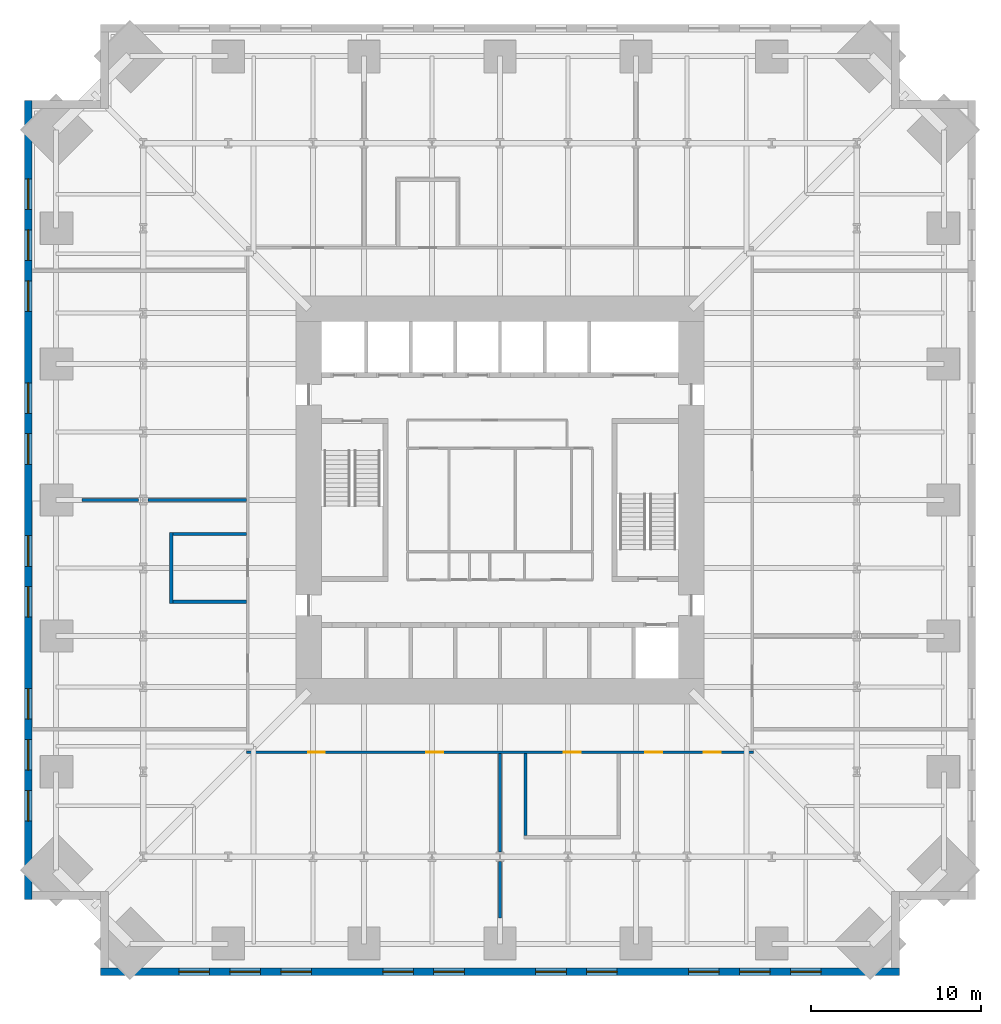
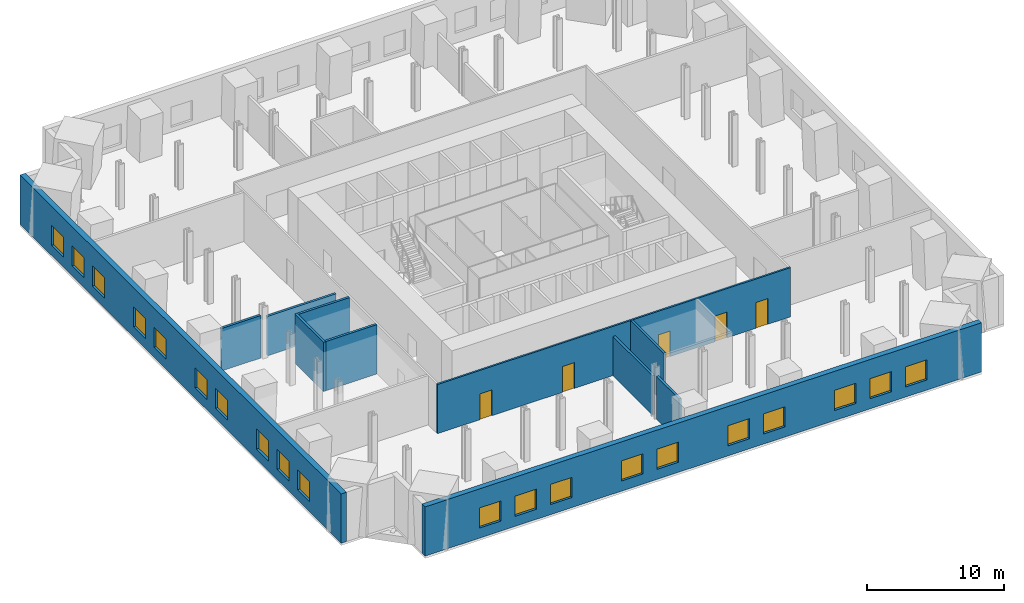
# One storey, part 3 of 8: 20 windows, 11 walls, 5 doors, 25 openings.
"""IFC4 building model written with IfcOpenShell, lengths in metres."""

import ifcopenshell
import ifcopenshell.guid

model = None  # the IFC model being written
_history = None  # IfcOwnerHistory: only IFC2X3 demands one
_inside = {}  # id of a spatial element -> (the spatial element, [elements in it])
_under = {}  # id of a project, library or spatial element -> (it, [spatial elements below it])
_declared = {}  # id of a project -> (the project, [libraries it declares])
_typed = {}  # id of a type object -> (the type object, [elements of that type])
_made_of = {}  # id of a material, layer set ... -> (it, [elements and type objects made of it])


def new_model(schema):
    """Start an empty IFC model of exactly this schema.

    Asked for "IFC4X3", IfcOpenShell would pick the latest addendum, in which some entities
    have other attributes; the version numbers below select the first issue.
    IFC2X3 requires an IfcOwnerHistory on every rooted entity: one is made here for all.
    """
    global model, _history
    if schema == "IFC4X3":
        model = ifcopenshell.file(schema_version=(4, 3, 0, 0))
    else:
        model = ifcopenshell.file(schema=schema)
    _inside.clear()
    _under.clear()
    _declared.clear()
    _typed.clear()
    _made_of.clear()
    _history = None
    if model.schema == "IFC2X3":
        org = make("IfcOrganization", Name="unknown")
        user = make(
            "IfcPersonAndOrganization",
            ThePerson=make("IfcPerson", FamilyName="unknown"),
            TheOrganization=org,
        )
        app = make(
            "IfcApplication",
            ApplicationDeveloper=org,
            Version="unknown",
            ApplicationFullName="unknown",
            ApplicationIdentifier="unknown",
        )
        _history = make(
            "IfcOwnerHistory",
            OwningUser=user,
            OwningApplication=app,
            ChangeAction="ADDED",
            CreationDate=0,
        )
    return model


def make(cls, **values):
    """One entity of the class cls with the attributes given. An attribute that is None is left unset."""
    return model.create_entity(
        cls, **{name: value for name, value in values.items() if value is not None}
    )


def rooted(cls, **values):
    """An entity with a GlobalId (a new one), such as an element, a storey or a relation."""
    return make(cls, GlobalId=ifcopenshell.guid.new(), OwnerHistory=_history, **values)


def si_unit(unit_type, name, prefix=None):
    """IfcSIUnit, for example si_unit("LENGTHUNIT", "METRE", prefix="MILLI")."""
    return make("IfcSIUnit", UnitType=unit_type, Prefix=prefix, Name=name)


def assignment(units):
    """IfcUnitAssignment: the units of a project."""
    return None if units is None else make("IfcUnitAssignment", Units=units)


def point(xyz):
    """IfcCartesianPoint."""
    return None if xyz is None else make("IfcCartesianPoint", Coordinates=xyz)


def direction(xyz):
    """IfcDirection."""
    return None if xyz is None else make("IfcDirection", DirectionRatios=xyz)


def frame(location, z_axis=None, x_axis=None):
    """IfcAxis2Placement3D, a coordinate frame: its origin and axes. An axis left out is left unset."""
    return make(
        "IfcAxis2Placement3D",
        Location=point(location),
        Axis=direction(z_axis),
        RefDirection=direction(x_axis),
    )


def frame_2d(location, x_axis=None):
    """IfcAxis2Placement2D, a coordinate frame in the plane: its origin and x axis."""
    return make(
        "IfcAxis2Placement2D", Location=point(location), RefDirection=direction(x_axis)
    )


def origin():
    """The frame at (0, 0, 0) with its axes left unset."""
    return frame((0.0, 0.0, 0.0))


def place(relative_to, where):
    """IfcLocalPlacement: puts the frame where relative to a parent placement (None: the world)."""
    return make(
        "IfcLocalPlacement", PlacementRelTo=relative_to, RelativePlacement=where
    )


def context(
    kind, dimensions, precision=None, world=None, true_north=None, identifier=None
):
    """IfcGeometricRepresentationContext, for example the 3D "Model" context."""
    return make(
        "IfcGeometricRepresentationContext",
        ContextIdentifier=identifier,
        ContextType=kind,
        CoordinateSpaceDimension=dimensions,
        Precision=precision,
        WorldCoordinateSystem=world,
        TrueNorth=true_north,
    )


def subcontext(parent, identifier, kind, view, scale=None):
    """IfcGeometricRepresentationSubContext, for example "Body" below "Model"."""
    return make(
        "IfcGeometricRepresentationSubContext",
        ContextIdentifier=identifier,
        ContextType=kind,
        ParentContext=parent,
        TargetScale=scale,
        TargetView=view,
    )


def project(units=None, contexts=None):
    """IfcProject with its units and contexts."""
    return rooted(
        "IfcProject",
        Name="project",
        RepresentationContexts=contexts,
        UnitsInContext=assignment(units),
    )


def spatial(cls, under=None, at=None, **own):
    """A site, building, storey or space (cls), placed at a placement, below another one or the project."""
    s = rooted(cls, ObjectPlacement=at, **own)
    if under is not None:
        _under.setdefault(under.id(), (under, []))[1].append(s)
    return s


def profile(cls, at=None, kind="AREA", **sizes):
    """A parametric profile (cls). Its sizes go by their IFC names, for example OverallWidth=200.0."""
    return make(cls, ProfileType=kind, Position=at, **sizes)


def rectangle(**sizes):
    """IfcRectangleProfileDef."""
    return profile("IfcRectangleProfileDef", **sizes)


def extrude(swept, where, along, depth):
    """IfcExtrudedAreaSolid: the profile swept, set in the frame where, extruded along a direction by depth."""
    return make(
        "IfcExtrudedAreaSolid",
        SweptArea=swept,
        Position=where,
        ExtrudedDirection=direction(along),
        Depth=depth,
    )


def shape(context_of_items, identifier, shape_type, items):
    """IfcShapeRepresentation: the items that make up one representation, for example the "Body"."""
    return make(
        "IfcShapeRepresentation",
        ContextOfItems=context_of_items,
        RepresentationIdentifier=identifier,
        RepresentationType=shape_type,
        Items=items,
    )


def material(Name=None, Category=None):
    """IfcMaterial."""
    return make("IfcMaterial", Name=Name, Category=Category)


def layer(
    of_material, thickness, ventilated=None, Name=None, Category=None, Priority=None
):
    """IfcMaterialLayer: one layer of a wall or slab, of a material (None: an air gap)."""
    return make(
        "IfcMaterialLayer",
        Material=of_material,
        LayerThickness=thickness,
        IsVentilated=ventilated,
        Name=Name,
        Category=Category,
        Priority=Priority,
    )


def layer_set(layers, Name=None):
    """IfcMaterialLayerSet."""
    return make("IfcMaterialLayerSet", MaterialLayers=layers, LayerSetName=Name)


def made_of(thing, what):
    """Note that an element or type object is made of a material, layer set ...; save() writes the relation."""
    if what is not None:
        _made_of.setdefault(what.id(), (what, []))[1].append(thing)
    return thing


def type_object(cls, material=None, **own):
    """A type object (cls), such as IfcWallType, which elements share."""
    return made_of(rooted(cls, **own), material)


def element(
    cls,
    number,
    at=None,
    inside=None,
    cuts=None,
    type_object=None,
    material=None,
    context=None,
    identifier="Body",
    shape_type=None,
    held_by="IfcProductDefinitionShape",
    body=None,
    shapes=None,
    **own,
):
    """One element of the class cls, such as IfcWall. Its Tag is "e" and its number.

    at: its placement. inside: the storey or other place that contains it. cuts: it is an
    opening in that element (IfcRelVoidsElement). A single representation is given by context,
    identifier, shape_type and body (its items); several are given by shapes. held_by: the class
    of the entity that holds the representations. save() writes the other relations.
    """
    e = rooted(cls, Tag="e%d" % number, ObjectPlacement=at, **own)
    if body is not None:
        shapes = [shape(context, identifier, shape_type, body)]
    if shapes is not None:
        e.Representation = make(held_by, Representations=shapes)
    if inside is not None:
        _inside.setdefault(inside.id(), (inside, []))[1].append(e)
    if cuts is not None:
        rooted(
            "IfcRelVoidsElement", RelatingBuildingElement=cuts, RelatedOpeningElement=e
        )
    if type_object is not None:
        _typed.setdefault(type_object.id(), (type_object, []))[1].append(e)
    return made_of(e, material)


def fill(opening, filler):
    """IfcRelFillsElement: the door or window that sits in an opening."""
    return rooted(
        "IfcRelFillsElement",
        RelatingOpeningElement=opening,
        RelatedBuildingElement=filler,
    )


def aggregate(whole, parts):
    """IfcRelAggregates: a whole, such as a stair, and the parts it consists of."""
    return rooted("IfcRelAggregates", RelatingObject=whole, RelatedObjects=parts)


def save(model, path):
    """Write the relations noted so far, then the file.

    IfcRelAggregates (storeys below a building ...), IfcRelContainedInSpatialStructure (elements
    in a storey), IfcRelDefinesByType, IfcRelAssociatesMaterial and IfcRelDeclares: one each for
    every whole, place, type object, material and project.
    """
    for whole, parts in _under.values():
        aggregate(whole, parts)
    for where, things in _inside.values():
        rooted(
            "IfcRelContainedInSpatialStructure",
            RelatedElements=things,
            RelatingStructure=where,
        )
    for kind, things in _typed.values():
        rooted("IfcRelDefinesByType", RelatedObjects=things, RelatingType=kind)
    for what, things in _made_of.values():
        rooted("IfcRelAssociatesMaterial", RelatedObjects=things, RelatingMaterial=what)
    for by, libraries in _declared.values():
        rooted("IfcRelDeclares", RelatingContext=by, RelatedDefinitions=libraries)
    model.write(path)


model = new_model("IFC4")

# Units and contexts
model_context = context("Model", 3, precision=1e-05, world=origin(), true_north=direction((0.0, 1.0)))
body_context = subcontext(model_context, "Body", "Model", "MODEL_VIEW")
ifc_project = project(units=[si_unit("LENGTHUNIT", "METRE"), si_unit("AREAUNIT", "SQUARE_METRE"), si_unit("VOLUMEUNIT", "CUBIC_METRE"), si_unit("PLANEANGLEUNIT", "RADIAN"), si_unit("MASSUNIT", "GRAM", prefix="KILO")], contexts=[model_context])

# Site, building, storey
site_placement = place(None, origin())
site = spatial("IfcSite", under=ifc_project, at=site_placement, CompositionType="ELEMENT")
building_placement = place(site_placement, origin())
building = spatial("IfcBuilding", under=site, at=building_placement, Name="Peilmerk Tower", CompositionType="ELEMENT")
storey_placement = place(building_placement, frame((0.0, 0.0, 118.199951171875)))
storey = spatial("IfcBuildingStorey", under=building, at=storey_placement, Name="L23", CompositionType="ELEMENT", Elevation=118.199951171875)

# Wall, openings, windows
ifc_material_1 = material(Name="Precast concrete C45/55, board-marked finish", Category="concrete")
ifc_layer_1 = layer(ifc_material_1, 0.449951171875)
ifc_layer_set_1 = layer_set([ifc_layer_1], Name="Precast concrete C45/55, board-marked finish")
wall_type_1 = type_object("IfcWallType", Name="EW1 450 precast concrete facade wall, board-marked", PredefinedType="SOLIDWALL", material=ifc_layer_set_1)
wall_1_placement = place(storey_placement, frame((-23.5, -27.77490234375, 0.0), z_axis=(0.0, 0.0, 1.0), x_axis=(1.0, 0.0, 0.0)))
wall_1 = element("IfcWall", 1, at=wall_1_placement, inside=storey, type_object=wall_type_1, Name="Facade wall S L23", PredefinedType="SOLIDWALL", context=body_context, shape_type="SweptSolid", body=[
    extrude(rectangle(XDim=47.0, YDim=0.449951171875, at=frame_2d((23.5, 0.0))), origin(), (0.0, 0.0, 1.0), 4.400146484375),
])
opening_1_placement = place(wall_1_placement, frame((4.60009765625, 0.0, 0.89990234375)))
opening_1 = element("IfcOpeningElement", 2, at=opening_1_placement, cuts=wall_1, Name="Opening W3", PredefinedType="OPENING", context=body_context, shape_type="SweptSolid", body=[
    extrude(rectangle(XDim=1.800048828125, YDim=1.800048828125, at=frame_2d((0.89990234375, 0.89990234375))), frame((0.0, 0.23486328125, 0.0), z_axis=(0.0, -1.0, 0.0), x_axis=(1.0, 0.0, 0.0)), (0.0, 0.0, 1.0), 0.469970703125),
])
opening_2_placement = place(wall_1_placement, frame((7.60009765625, 0.0, 0.89990234375)))
opening_2 = element("IfcOpeningElement", 3, at=opening_2_placement, cuts=wall_1, Name="Opening W3", PredefinedType="OPENING", context=body_context, shape_type="SweptSolid", body=[
    extrude(rectangle(XDim=1.800048828125, YDim=1.800048828125, at=frame_2d((0.89990234375, 0.89990234375))), frame((0.0, 0.23486328125, 0.0), z_axis=(0.0, -1.0, 0.0), x_axis=(1.0, 0.0, 0.0)), (0.0, 0.0, 1.0), 0.469970703125),
])
opening_3_placement = place(wall_1_placement, frame((10.60009765625, 0.0, 0.89990234375)))
opening_3 = element("IfcOpeningElement", 4, at=opening_3_placement, cuts=wall_1, Name="Opening W3", PredefinedType="OPENING", context=body_context, shape_type="SweptSolid", body=[
    extrude(rectangle(XDim=1.800048828125, YDim=1.800048828125, at=frame_2d((0.89990234375, 0.89990234375))), frame((0.0, 0.23486328125, 0.0), z_axis=(0.0, -1.0, 0.0), x_axis=(1.0, 0.0, 0.0)), (0.0, 0.0, 1.0), 0.469970703125),
])
opening_4_placement = place(wall_1_placement, frame((16.60009765625, 0.0, 0.89990234375)))
opening_4 = element("IfcOpeningElement", 5, at=opening_4_placement, cuts=wall_1, Name="Opening W3", PredefinedType="OPENING", context=body_context, shape_type="SweptSolid", body=[
    extrude(rectangle(XDim=1.800048828125, YDim=1.800048828125, at=frame_2d((0.89990234375, 0.89990234375))), frame((0.0, 0.23486328125, 0.0), z_axis=(0.0, -1.0, 0.0), x_axis=(1.0, 0.0, 0.0)), (0.0, 0.0, 1.0), 0.469970703125),
])
opening_5_placement = place(wall_1_placement, frame((19.60009765625, 0.0, 0.89990234375)))
opening_5 = element("IfcOpeningElement", 6, at=opening_5_placement, cuts=wall_1, Name="Opening W3", PredefinedType="OPENING", context=body_context, shape_type="SweptSolid", body=[
    extrude(rectangle(XDim=1.800048828125, YDim=1.800048828125, at=frame_2d((0.89990234375, 0.89990234375))), frame((0.0, 0.23486328125, 0.0), z_axis=(0.0, -1.0, 0.0), x_axis=(1.0, 0.0, 0.0)), (0.0, 0.0, 1.0), 0.469970703125),
])
opening_6_placement = place(wall_1_placement, frame((25.60009765625, 0.0, 0.89990234375)))
opening_6 = element("IfcOpeningElement", 7, at=opening_6_placement, cuts=wall_1, Name="Opening W3", PredefinedType="OPENING", context=body_context, shape_type="SweptSolid", body=[
    extrude(rectangle(XDim=1.800048828125, YDim=1.800048828125, at=frame_2d((0.89990234375, 0.89990234375))), frame((0.0, 0.23486328125, 0.0), z_axis=(0.0, -1.0, 0.0), x_axis=(1.0, 0.0, 0.0)), (0.0, 0.0, 1.0), 0.469970703125),
])
opening_7_placement = place(wall_1_placement, frame((28.60009765625, 0.0, 0.89990234375)))
opening_7 = element("IfcOpeningElement", 8, at=opening_7_placement, cuts=wall_1, Name="Opening W3", PredefinedType="OPENING", context=body_context, shape_type="SweptSolid", body=[
    extrude(rectangle(XDim=1.800048828125, YDim=1.800048828125, at=frame_2d((0.89990234375, 0.89990234375))), frame((0.0, 0.23486328125, 0.0), z_axis=(0.0, -1.0, 0.0), x_axis=(1.0, 0.0, 0.0)), (0.0, 0.0, 1.0), 0.469970703125),
])
opening_8_placement = place(wall_1_placement, frame((34.60009765625, 0.0, 0.89990234375)))
opening_8 = element("IfcOpeningElement", 9, at=opening_8_placement, cuts=wall_1, Name="Opening W3", PredefinedType="OPENING", context=body_context, shape_type="SweptSolid", body=[
    extrude(rectangle(XDim=1.800048828125, YDim=1.800048828125, at=frame_2d((0.89990234375, 0.89990234375))), frame((0.0, 0.23486328125, 0.0), z_axis=(0.0, -1.0, 0.0), x_axis=(1.0, 0.0, 0.0)), (0.0, 0.0, 1.0), 0.469970703125),
])
opening_9_placement = place(wall_1_placement, frame((37.60009765625, 0.0, 0.89990234375)))
opening_9 = element("IfcOpeningElement", 10, at=opening_9_placement, cuts=wall_1, Name="Opening W3", PredefinedType="OPENING", context=body_context, shape_type="SweptSolid", body=[
    extrude(rectangle(XDim=1.800048828125, YDim=1.800048828125, at=frame_2d((0.89990234375, 0.89990234375))), frame((0.0, 0.23486328125, 0.0), z_axis=(0.0, -1.0, 0.0), x_axis=(1.0, 0.0, 0.0)), (0.0, 0.0, 1.0), 0.469970703125),
])
opening_10_placement = place(wall_1_placement, frame((40.60009765625, 0.0, 0.89990234375)))
opening_10 = element("IfcOpeningElement", 11, at=opening_10_placement, cuts=wall_1, Name="Opening W3", PredefinedType="OPENING", context=body_context, shape_type="SweptSolid", body=[
    extrude(rectangle(XDim=1.800048828125, YDim=1.800048828125, at=frame_2d((0.89990234375, 0.89990234375))), frame((0.0, 0.23486328125, 0.0), z_axis=(0.0, -1.0, 0.0), x_axis=(1.0, 0.0, 0.0)), (0.0, 0.0, 1.0), 0.469970703125),
])
ifc_material_2 = material(Name="Aluminium frame, clear double glazing", Category="aluminium")
window_type = type_object("IfcWindowType", Name="W3 1800x1800 telecom floor window", PartitioningType="SINGLE_PANEL", PredefinedType="WINDOW", material=ifc_material_2)
window_1_placement = place(opening_1_placement, origin())
window_1 = element("IfcWindow", 12, at=window_1_placement, inside=storey, type_object=window_type, Name="Window W3 L23", OverallHeight=1.800048828125, OverallWidth=1.800048828125, PartitioningType="SINGLE_PANEL", PredefinedType="WINDOW", context=body_context, shape_type="SweptSolid", body=[
    extrude(rectangle(XDim=1.800048828125, YDim=1.800048828125, at=frame_2d((0.89990234375, 0.89990234375))), frame((0.0, 0.030029296875, 0.0), z_axis=(0.0, -1.0, 0.0), x_axis=(1.0, 0.0, 0.0)), (0.0, 0.0, 1.0), 0.06005859375),
])
fill(opening_1, window_1)
window_2_placement = place(opening_2_placement, origin())
window_2 = element("IfcWindow", 13, at=window_2_placement, inside=storey, type_object=window_type, Name="Window W3 L23", OverallHeight=1.800048828125, OverallWidth=1.800048828125, PartitioningType="SINGLE_PANEL", PredefinedType="WINDOW", context=body_context, shape_type="SweptSolid", body=[
    extrude(rectangle(XDim=1.800048828125, YDim=1.800048828125, at=frame_2d((0.89990234375, 0.89990234375))), frame((0.0, 0.030029296875, 0.0), z_axis=(0.0, -1.0, 0.0), x_axis=(1.0, 0.0, 0.0)), (0.0, 0.0, 1.0), 0.06005859375),
])
fill(opening_2, window_2)
window_3_placement = place(opening_3_placement, origin())
window_3 = element("IfcWindow", 14, at=window_3_placement, inside=storey, type_object=window_type, Name="Window W3 L23", OverallHeight=1.800048828125, OverallWidth=1.800048828125, PartitioningType="SINGLE_PANEL", PredefinedType="WINDOW", context=body_context, shape_type="SweptSolid", body=[
    extrude(rectangle(XDim=1.800048828125, YDim=1.800048828125, at=frame_2d((0.89990234375, 0.89990234375))), frame((0.0, 0.030029296875, 0.0), z_axis=(0.0, -1.0, 0.0), x_axis=(1.0, 0.0, 0.0)), (0.0, 0.0, 1.0), 0.06005859375),
])
fill(opening_3, window_3)
window_4_placement = place(opening_4_placement, origin())
window_4 = element("IfcWindow", 15, at=window_4_placement, inside=storey, type_object=window_type, Name="Window W3 L23", OverallHeight=1.800048828125, OverallWidth=1.800048828125, PartitioningType="SINGLE_PANEL", PredefinedType="WINDOW", context=body_context, shape_type="SweptSolid", body=[
    extrude(rectangle(XDim=1.800048828125, YDim=1.800048828125, at=frame_2d((0.89990234375, 0.89990234375))), frame((0.0, 0.030029296875, 0.0), z_axis=(0.0, -1.0, 0.0), x_axis=(1.0, 0.0, 0.0)), (0.0, 0.0, 1.0), 0.06005859375),
])
fill(opening_4, window_4)
window_5_placement = place(opening_5_placement, origin())
window_5 = element("IfcWindow", 16, at=window_5_placement, inside=storey, type_object=window_type, Name="Window W3 L23", OverallHeight=1.800048828125, OverallWidth=1.800048828125, PartitioningType="SINGLE_PANEL", PredefinedType="WINDOW", context=body_context, shape_type="SweptSolid", body=[
    extrude(rectangle(XDim=1.800048828125, YDim=1.800048828125, at=frame_2d((0.89990234375, 0.89990234375))), frame((0.0, 0.030029296875, 0.0), z_axis=(0.0, -1.0, 0.0), x_axis=(1.0, 0.0, 0.0)), (0.0, 0.0, 1.0), 0.06005859375),
])
fill(opening_5, window_5)
window_6_placement = place(opening_6_placement, origin())
window_6 = element("IfcWindow", 17, at=window_6_placement, inside=storey, type_object=window_type, Name="Window W3 L23", OverallHeight=1.800048828125, OverallWidth=1.800048828125, PartitioningType="SINGLE_PANEL", PredefinedType="WINDOW", context=body_context, shape_type="SweptSolid", body=[
    extrude(rectangle(XDim=1.800048828125, YDim=1.800048828125, at=frame_2d((0.89990234375, 0.89990234375))), frame((0.0, 0.030029296875, 0.0), z_axis=(0.0, -1.0, 0.0), x_axis=(1.0, 0.0, 0.0)), (0.0, 0.0, 1.0), 0.06005859375),
])
fill(opening_6, window_6)
window_7_placement = place(opening_7_placement, origin())
window_7 = element("IfcWindow", 18, at=window_7_placement, inside=storey, type_object=window_type, Name="Window W3 L23", OverallHeight=1.800048828125, OverallWidth=1.800048828125, PartitioningType="SINGLE_PANEL", PredefinedType="WINDOW", context=body_context, shape_type="SweptSolid", body=[
    extrude(rectangle(XDim=1.800048828125, YDim=1.800048828125, at=frame_2d((0.89990234375, 0.89990234375))), frame((0.0, 0.030029296875, 0.0), z_axis=(0.0, -1.0, 0.0), x_axis=(1.0, 0.0, 0.0)), (0.0, 0.0, 1.0), 0.06005859375),
])
fill(opening_7, window_7)
window_8_placement = place(opening_8_placement, origin())
window_8 = element("IfcWindow", 19, at=window_8_placement, inside=storey, type_object=window_type, Name="Window W3 L23", OverallHeight=1.800048828125, OverallWidth=1.800048828125, PartitioningType="SINGLE_PANEL", PredefinedType="WINDOW", context=body_context, shape_type="SweptSolid", body=[
    extrude(rectangle(XDim=1.800048828125, YDim=1.800048828125, at=frame_2d((0.89990234375, 0.89990234375))), frame((0.0, 0.030029296875, 0.0), z_axis=(0.0, -1.0, 0.0), x_axis=(1.0, 0.0, 0.0)), (0.0, 0.0, 1.0), 0.06005859375),
])
fill(opening_8, window_8)
window_9_placement = place(opening_9_placement, origin())
window_9 = element("IfcWindow", 20, at=window_9_placement, inside=storey, type_object=window_type, Name="Window W3 L23", OverallHeight=1.800048828125, OverallWidth=1.800048828125, PartitioningType="SINGLE_PANEL", PredefinedType="WINDOW", context=body_context, shape_type="SweptSolid", body=[
    extrude(rectangle(XDim=1.800048828125, YDim=1.800048828125, at=frame_2d((0.89990234375, 0.89990234375))), frame((0.0, 0.030029296875, 0.0), z_axis=(0.0, -1.0, 0.0), x_axis=(1.0, 0.0, 0.0)), (0.0, 0.0, 1.0), 0.06005859375),
])
fill(opening_9, window_9)
window_10_placement = place(opening_10_placement, origin())
window_10 = element("IfcWindow", 21, at=window_10_placement, inside=storey, type_object=window_type, Name="Window W3 L23", OverallHeight=1.800048828125, OverallWidth=1.800048828125, PartitioningType="SINGLE_PANEL", PredefinedType="WINDOW", context=body_context, shape_type="SweptSolid", body=[
    extrude(rectangle(XDim=1.800048828125, YDim=1.800048828125, at=frame_2d((0.89990234375, 0.89990234375))), frame((0.0, 0.030029296875, 0.0), z_axis=(0.0, -1.0, 0.0), x_axis=(1.0, 0.0, 0.0)), (0.0, 0.0, 1.0), 0.06005859375),
])
fill(opening_10, window_10)

wall_2_placement = place(storey_placement, frame((-27.77490234375, 23.5, 0.0), z_axis=(0.0, 0.0, 1.0), x_axis=(0.0, -1.0, 0.0)))
wall_2 = element("IfcWall", 22, at=wall_2_placement, inside=storey, type_object=wall_type_1, Name="Facade wall W L23", PredefinedType="SOLIDWALL", context=body_context, shape_type="SweptSolid", body=[
    extrude(rectangle(XDim=47.0, YDim=0.449951171875, at=frame_2d((23.5, 0.0))), origin(), (0.0, 0.0, 1.0), 4.400146484375),
])
opening_11_placement = place(wall_2_placement, frame((4.60009765625, 0.0, 0.89990234375)))
opening_11 = element("IfcOpeningElement", 23, at=opening_11_placement, cuts=wall_2, Name="Opening W3", PredefinedType="OPENING", context=body_context, shape_type="SweptSolid", body=[
    extrude(rectangle(XDim=1.800048828125, YDim=1.800048828125, at=frame_2d((0.89990234375, 0.89990234375))), frame((0.0, 0.23486328125, 0.0), z_axis=(0.0, -1.0, 0.0), x_axis=(1.0, 0.0, 0.0)), (0.0, 0.0, 1.0), 0.469970703125),
])
opening_12_placement = place(wall_2_placement, frame((7.60009765625, 0.0, 0.89990234375)))
opening_12 = element("IfcOpeningElement", 24, at=opening_12_placement, cuts=wall_2, Name="Opening W3", PredefinedType="OPENING", context=body_context, shape_type="SweptSolid", body=[
    extrude(rectangle(XDim=1.800048828125, YDim=1.800048828125, at=frame_2d((0.89990234375, 0.89990234375))), frame((0.0, 0.23486328125, 0.0), z_axis=(0.0, -1.0, 0.0), x_axis=(1.0, 0.0, 0.0)), (0.0, 0.0, 1.0), 0.469970703125),
])
opening_13_placement = place(wall_2_placement, frame((10.60009765625, 0.0, 0.89990234375)))
opening_13 = element("IfcOpeningElement", 25, at=opening_13_placement, cuts=wall_2, Name="Opening W3", PredefinedType="OPENING", context=body_context, shape_type="SweptSolid", body=[
    extrude(rectangle(XDim=1.800048828125, YDim=1.800048828125, at=frame_2d((0.89990234375, 0.89990234375))), frame((0.0, 0.23486328125, 0.0), z_axis=(0.0, -1.0, 0.0), x_axis=(1.0, 0.0, 0.0)), (0.0, 0.0, 1.0), 0.469970703125),
])
opening_14_placement = place(wall_2_placement, frame((16.60009765625, 0.0, 0.89990234375)))
opening_14 = element("IfcOpeningElement", 26, at=opening_14_placement, cuts=wall_2, Name="Opening W3", PredefinedType="OPENING", context=body_context, shape_type="SweptSolid", body=[
    extrude(rectangle(XDim=1.800048828125, YDim=1.800048828125, at=frame_2d((0.89990234375, 0.89990234375))), frame((0.0, 0.23486328125, 0.0), z_axis=(0.0, -1.0, 0.0), x_axis=(1.0, 0.0, 0.0)), (0.0, 0.0, 1.0), 0.469970703125),
])
opening_15_placement = place(wall_2_placement, frame((19.60009765625, 0.0, 0.89990234375)))
opening_15 = element("IfcOpeningElement", 27, at=opening_15_placement, cuts=wall_2, Name="Opening W3", PredefinedType="OPENING", context=body_context, shape_type="SweptSolid", body=[
    extrude(rectangle(XDim=1.800048828125, YDim=1.800048828125, at=frame_2d((0.89990234375, 0.89990234375))), frame((0.0, 0.23486328125, 0.0), z_axis=(0.0, -1.0, 0.0), x_axis=(1.0, 0.0, 0.0)), (0.0, 0.0, 1.0), 0.469970703125),
])
opening_16_placement = place(wall_2_placement, frame((25.60009765625, 0.0, 0.89990234375)))
opening_16 = element("IfcOpeningElement", 28, at=opening_16_placement, cuts=wall_2, Name="Opening W3", PredefinedType="OPENING", context=body_context, shape_type="SweptSolid", body=[
    extrude(rectangle(XDim=1.800048828125, YDim=1.800048828125, at=frame_2d((0.89990234375, 0.89990234375))), frame((0.0, 0.23486328125, 0.0), z_axis=(0.0, -1.0, 0.0), x_axis=(1.0, 0.0, 0.0)), (0.0, 0.0, 1.0), 0.469970703125),
])
opening_17_placement = place(wall_2_placement, frame((28.60009765625, 0.0, 0.89990234375)))
opening_17 = element("IfcOpeningElement", 29, at=opening_17_placement, cuts=wall_2, Name="Opening W3", PredefinedType="OPENING", context=body_context, shape_type="SweptSolid", body=[
    extrude(rectangle(XDim=1.800048828125, YDim=1.800048828125, at=frame_2d((0.89990234375, 0.89990234375))), frame((0.0, 0.23486328125, 0.0), z_axis=(0.0, -1.0, 0.0), x_axis=(1.0, 0.0, 0.0)), (0.0, 0.0, 1.0), 0.469970703125),
])
opening_18_placement = place(wall_2_placement, frame((34.60009765625, 0.0, 0.89990234375)))
opening_18 = element("IfcOpeningElement", 30, at=opening_18_placement, cuts=wall_2, Name="Opening W3", PredefinedType="OPENING", context=body_context, shape_type="SweptSolid", body=[
    extrude(rectangle(XDim=1.800048828125, YDim=1.800048828125, at=frame_2d((0.89990234375, 0.89990234375))), frame((0.0, 0.23486328125, 0.0), z_axis=(0.0, -1.0, 0.0), x_axis=(1.0, 0.0, 0.0)), (0.0, 0.0, 1.0), 0.469970703125),
])
opening_19_placement = place(wall_2_placement, frame((37.60009765625, 0.0, 0.89990234375)))
opening_19 = element("IfcOpeningElement", 31, at=opening_19_placement, cuts=wall_2, Name="Opening W3", PredefinedType="OPENING", context=body_context, shape_type="SweptSolid", body=[
    extrude(rectangle(XDim=1.800048828125, YDim=1.800048828125, at=frame_2d((0.89990234375, 0.89990234375))), frame((0.0, 0.23486328125, 0.0), z_axis=(0.0, -1.0, 0.0), x_axis=(1.0, 0.0, 0.0)), (0.0, 0.0, 1.0), 0.469970703125),
])
opening_20_placement = place(wall_2_placement, frame((40.60009765625, 0.0, 0.89990234375)))
opening_20 = element("IfcOpeningElement", 32, at=opening_20_placement, cuts=wall_2, Name="Opening W3", PredefinedType="OPENING", context=body_context, shape_type="SweptSolid", body=[
    extrude(rectangle(XDim=1.800048828125, YDim=1.800048828125, at=frame_2d((0.89990234375, 0.89990234375))), frame((0.0, 0.23486328125, 0.0), z_axis=(0.0, -1.0, 0.0), x_axis=(1.0, 0.0, 0.0)), (0.0, 0.0, 1.0), 0.469970703125),
])
window_11_placement = place(opening_11_placement, origin())
window_11 = element("IfcWindow", 33, at=window_11_placement, inside=storey, type_object=window_type, Name="Window W3 L23", OverallHeight=1.800048828125, OverallWidth=1.800048828125, PartitioningType="SINGLE_PANEL", PredefinedType="WINDOW", context=body_context, shape_type="SweptSolid", body=[
    extrude(rectangle(XDim=1.800048828125, YDim=1.800048828125, at=frame_2d((0.89990234375, 0.89990234375))), frame((0.0, 0.030029296875, 0.0), z_axis=(0.0, -1.0, 0.0), x_axis=(1.0, 0.0, 0.0)), (0.0, 0.0, 1.0), 0.06005859375),
])
fill(opening_11, window_11)
window_12_placement = place(opening_12_placement, origin())
window_12 = element("IfcWindow", 34, at=window_12_placement, inside=storey, type_object=window_type, Name="Window W3 L23", OverallHeight=1.800048828125, OverallWidth=1.800048828125, PartitioningType="SINGLE_PANEL", PredefinedType="WINDOW", context=body_context, shape_type="SweptSolid", body=[
    extrude(rectangle(XDim=1.800048828125, YDim=1.800048828125, at=frame_2d((0.89990234375, 0.89990234375))), frame((0.0, 0.030029296875, 0.0), z_axis=(0.0, -1.0, 0.0), x_axis=(1.0, 0.0, 0.0)), (0.0, 0.0, 1.0), 0.06005859375),
])
fill(opening_12, window_12)
window_13_placement = place(opening_13_placement, origin())
window_13 = element("IfcWindow", 35, at=window_13_placement, inside=storey, type_object=window_type, Name="Window W3 L23", OverallHeight=1.800048828125, OverallWidth=1.800048828125, PartitioningType="SINGLE_PANEL", PredefinedType="WINDOW", context=body_context, shape_type="SweptSolid", body=[
    extrude(rectangle(XDim=1.800048828125, YDim=1.800048828125, at=frame_2d((0.89990234375, 0.89990234375))), frame((0.0, 0.030029296875, 0.0), z_axis=(0.0, -1.0, 0.0), x_axis=(1.0, 0.0, 0.0)), (0.0, 0.0, 1.0), 0.06005859375),
])
fill(opening_13, window_13)
window_14_placement = place(opening_14_placement, origin())
window_14 = element("IfcWindow", 36, at=window_14_placement, inside=storey, type_object=window_type, Name="Window W3 L23", OverallHeight=1.800048828125, OverallWidth=1.800048828125, PartitioningType="SINGLE_PANEL", PredefinedType="WINDOW", context=body_context, shape_type="SweptSolid", body=[
    extrude(rectangle(XDim=1.800048828125, YDim=1.800048828125, at=frame_2d((0.89990234375, 0.89990234375))), frame((0.0, 0.030029296875, 0.0), z_axis=(0.0, -1.0, 0.0), x_axis=(1.0, 0.0, 0.0)), (0.0, 0.0, 1.0), 0.06005859375),
])
fill(opening_14, window_14)
window_15_placement = place(opening_15_placement, origin())
window_15 = element("IfcWindow", 37, at=window_15_placement, inside=storey, type_object=window_type, Name="Window W3 L23", OverallHeight=1.800048828125, OverallWidth=1.800048828125, PartitioningType="SINGLE_PANEL", PredefinedType="WINDOW", context=body_context, shape_type="SweptSolid", body=[
    extrude(rectangle(XDim=1.800048828125, YDim=1.800048828125, at=frame_2d((0.89990234375, 0.89990234375))), frame((0.0, 0.030029296875, 0.0), z_axis=(0.0, -1.0, 0.0), x_axis=(1.0, 0.0, 0.0)), (0.0, 0.0, 1.0), 0.06005859375),
])
fill(opening_15, window_15)
window_16_placement = place(opening_16_placement, origin())
window_16 = element("IfcWindow", 38, at=window_16_placement, inside=storey, type_object=window_type, Name="Window W3 L23", OverallHeight=1.800048828125, OverallWidth=1.800048828125, PartitioningType="SINGLE_PANEL", PredefinedType="WINDOW", context=body_context, shape_type="SweptSolid", body=[
    extrude(rectangle(XDim=1.800048828125, YDim=1.800048828125, at=frame_2d((0.89990234375, 0.89990234375))), frame((0.0, 0.030029296875, 0.0), z_axis=(0.0, -1.0, 0.0), x_axis=(1.0, 0.0, 0.0)), (0.0, 0.0, 1.0), 0.06005859375),
])
fill(opening_16, window_16)
window_17_placement = place(opening_17_placement, origin())
window_17 = element("IfcWindow", 39, at=window_17_placement, inside=storey, type_object=window_type, Name="Window W3 L23", OverallHeight=1.800048828125, OverallWidth=1.800048828125, PartitioningType="SINGLE_PANEL", PredefinedType="WINDOW", context=body_context, shape_type="SweptSolid", body=[
    extrude(rectangle(XDim=1.800048828125, YDim=1.800048828125, at=frame_2d((0.89990234375, 0.89990234375))), frame((0.0, 0.030029296875, 0.0), z_axis=(0.0, -1.0, 0.0), x_axis=(1.0, 0.0, 0.0)), (0.0, 0.0, 1.0), 0.06005859375),
])
fill(opening_17, window_17)
window_18_placement = place(opening_18_placement, origin())
window_18 = element("IfcWindow", 40, at=window_18_placement, inside=storey, type_object=window_type, Name="Window W3 L23", OverallHeight=1.800048828125, OverallWidth=1.800048828125, PartitioningType="SINGLE_PANEL", PredefinedType="WINDOW", context=body_context, shape_type="SweptSolid", body=[
    extrude(rectangle(XDim=1.800048828125, YDim=1.800048828125, at=frame_2d((0.89990234375, 0.89990234375))), frame((0.0, 0.030029296875, 0.0), z_axis=(0.0, -1.0, 0.0), x_axis=(1.0, 0.0, 0.0)), (0.0, 0.0, 1.0), 0.06005859375),
])
fill(opening_18, window_18)
window_19_placement = place(opening_19_placement, origin())
window_19 = element("IfcWindow", 41, at=window_19_placement, inside=storey, type_object=window_type, Name="Window W3 L23", OverallHeight=1.800048828125, OverallWidth=1.800048828125, PartitioningType="SINGLE_PANEL", PredefinedType="WINDOW", context=body_context, shape_type="SweptSolid", body=[
    extrude(rectangle(XDim=1.800048828125, YDim=1.800048828125, at=frame_2d((0.89990234375, 0.89990234375))), frame((0.0, 0.030029296875, 0.0), z_axis=(0.0, -1.0, 0.0), x_axis=(1.0, 0.0, 0.0)), (0.0, 0.0, 1.0), 0.06005859375),
])
fill(opening_19, window_19)
window_20_placement = place(opening_20_placement, origin())
window_20 = element("IfcWindow", 42, at=window_20_placement, inside=storey, type_object=window_type, Name="Window W3 L23", OverallHeight=1.800048828125, OverallWidth=1.800048828125, PartitioningType="SINGLE_PANEL", PredefinedType="WINDOW", context=body_context, shape_type="SweptSolid", body=[
    extrude(rectangle(XDim=1.800048828125, YDim=1.800048828125, at=frame_2d((0.89990234375, 0.89990234375))), frame((0.0, 0.030029296875, 0.0), z_axis=(0.0, -1.0, 0.0), x_axis=(1.0, 0.0, 0.0)), (0.0, 0.0, 1.0), 0.06005859375),
])
fill(opening_20, window_20)

# Wall, openings, doors
ifc_material_3 = material(Name="Calcium silicate block", Category="masonry")
ifc_layer_2 = layer(ifc_material_3, 0.14990234375)
ifc_layer_set_2 = layer_set([ifc_layer_2], Name="Calcium silicate block")
wall_type_2 = type_object("IfcWallType", Name="IW1 150 corridor partition, EI 60", PredefinedType="PARTITIONING", material=ifc_layer_set_2)
wall_3_placement = place(storey_placement, frame((14.925048828125, -14.85009765625, 0.0), z_axis=(0.0, 0.0, 1.0), x_axis=(-1.0, 0.0, 0.0)))
wall_3 = element("IfcWall", 43, at=wall_3_placement, inside=storey, type_object=wall_type_2, Name="Corridor wall S L23", PredefinedType="PARTITIONING", context=body_context, shape_type="SweptSolid", body=[
    extrude(rectangle(XDim=29.85009765625, YDim=0.14990234375, at=frame_2d((14.925048828125, 0.0))), origin(), (0.0, 0.0, 1.0), 4.400146484375),
])
opening_21_placement = place(wall_3_placement, frame((25.22509765625, 0.0, 0.0)))
opening_21 = element("IfcOpeningElement", 44, at=opening_21_placement, cuts=wall_3, Name="Opening D1", PredefinedType="OPENING", context=body_context, shape_type="SweptSolid", body=[
    extrude(rectangle(XDim=1.0, YDim=2.300048828125, at=frame_2d((0.5, 1.14990234375))), frame((0.0, 0.0849609375, 0.0), z_axis=(0.0, -1.0, 0.0), x_axis=(1.0, 0.0, 0.0)), (0.0, 0.0, 1.0), 0.169921875),
])
opening_22_placement = place(wall_3_placement, frame((18.27490234375, 0.0, 0.0)))
opening_22 = element("IfcOpeningElement", 45, at=opening_22_placement, cuts=wall_3, Name="Opening D1", PredefinedType="OPENING", context=body_context, shape_type="SweptSolid", body=[
    extrude(rectangle(XDim=1.0, YDim=2.300048828125, at=frame_2d((0.5, 1.14990234375))), frame((0.0, 0.0849609375, 0.0), z_axis=(0.0, -1.0, 0.0), x_axis=(1.0, 0.0, 0.0)), (0.0, 0.0, 1.0), 0.169921875),
])
opening_23_placement = place(wall_3_placement, frame((5.375, 0.0, 0.0)))
opening_23 = element("IfcOpeningElement", 46, at=opening_23_placement, cuts=wall_3, Name="Opening D1", PredefinedType="OPENING", context=body_context, shape_type="SweptSolid", body=[
    extrude(rectangle(XDim=1.0, YDim=2.300048828125, at=frame_2d((0.5, 1.14990234375))), frame((0.0, 0.0849609375, 0.0), z_axis=(0.0, -1.0, 0.0), x_axis=(1.0, 0.0, 0.0)), (0.0, 0.0, 1.0), 0.169921875),
])
opening_24_placement = place(wall_3_placement, frame((1.925048828125, 0.0, 0.0)))
opening_24 = element("IfcOpeningElement", 47, at=opening_24_placement, cuts=wall_3, Name="Opening D1", PredefinedType="OPENING", context=body_context, shape_type="SweptSolid", body=[
    extrude(rectangle(XDim=1.0, YDim=2.300048828125, at=frame_2d((0.5, 1.14990234375))), frame((0.0, 0.0849609375, 0.0), z_axis=(0.0, -1.0, 0.0), x_axis=(1.0, 0.0, 0.0)), (0.0, 0.0, 1.0), 0.169921875),
])
opening_25_placement = place(wall_3_placement, frame((10.175048828125, 0.0, 0.0)))
opening_25 = element("IfcOpeningElement", 48, at=opening_25_placement, cuts=wall_3, Name="Opening D1", PredefinedType="OPENING", context=body_context, shape_type="SweptSolid", body=[
    extrude(rectangle(XDim=1.0, YDim=2.300048828125, at=frame_2d((0.5, 1.14990234375))), frame((0.0, 0.0849609375, 0.0), z_axis=(0.0, -1.0, 0.0), x_axis=(1.0, 0.0, 0.0)), (0.0, 0.0, 1.0), 0.169921875),
])
ifc_material_4 = material(Name="Timber door in steel frame", Category="steel")
door_type = type_object("IfcDoorType", Name="D1 1000x2300 room door, EI2 30", OperationType="SINGLE_SWING_LEFT", PredefinedType="DOOR", material=ifc_material_4)
door_1_placement = place(opening_21_placement, origin())
door_1 = element("IfcDoor", 49, at=door_1_placement, inside=storey, type_object=door_type, Name="Door Test lab L23", OperationType="SINGLE_SWING_LEFT", OverallHeight=2.300048828125, OverallWidth=1.0, PredefinedType="DOOR", context=body_context, shape_type="SweptSolid", body=[
    extrude(rectangle(XDim=1.0, YDim=2.300048828125, at=frame_2d((0.5, 1.14990234375))), frame((0.0, 0.02490234375, 0.0), z_axis=(0.0, -1.0, 0.0), x_axis=(1.0, 0.0, 0.0)), (0.0, 0.0, 1.0), 0.050048828125),
])
fill(opening_21, door_1)
door_2_placement = place(opening_22_placement, origin())
door_2 = element("IfcDoor", 50, at=door_2_placement, inside=storey, type_object=door_type, Name="Door Test lab L23", OperationType="SINGLE_SWING_LEFT", OverallHeight=2.300048828125, OverallWidth=1.0, PredefinedType="DOOR", context=body_context, shape_type="SweptSolid", body=[
    extrude(rectangle(XDim=1.0, YDim=2.300048828125, at=frame_2d((0.5, 1.14990234375))), frame((0.0, 0.02490234375, 0.0), z_axis=(0.0, -1.0, 0.0), x_axis=(1.0, 0.0, 0.0)), (0.0, 0.0, 1.0), 0.050048828125),
])
fill(opening_22, door_2)
door_3_placement = place(opening_23_placement, origin())
door_3 = element("IfcDoor", 51, at=door_3_placement, inside=storey, type_object=door_type, Name="Door Engineering workshop L23", OperationType="SINGLE_SWING_LEFT", OverallHeight=2.300048828125, OverallWidth=1.0, PredefinedType="DOOR", context=body_context, shape_type="SweptSolid", body=[
    extrude(rectangle(XDim=1.0, YDim=2.300048828125, at=frame_2d((0.5, 1.14990234375))), frame((0.0, 0.02490234375, 0.0), z_axis=(0.0, -1.0, 0.0), x_axis=(1.0, 0.0, 0.0)), (0.0, 0.0, 1.0), 0.050048828125),
])
fill(opening_23, door_3)
door_4_placement = place(opening_24_placement, origin())
door_4 = element("IfcDoor", 52, at=door_4_placement, inside=storey, type_object=door_type, Name="Door Engineering workshop L23", OperationType="SINGLE_SWING_LEFT", OverallHeight=2.300048828125, OverallWidth=1.0, PredefinedType="DOOR", context=body_context, shape_type="SweptSolid", body=[
    extrude(rectangle(XDim=1.0, YDim=2.300048828125, at=frame_2d((0.5, 1.14990234375))), frame((0.0, 0.02490234375, 0.0), z_axis=(0.0, -1.0, 0.0), x_axis=(1.0, 0.0, 0.0)), (0.0, 0.0, 1.0), 0.050048828125),
])
fill(opening_24, door_4)
door_5_placement = place(opening_25_placement, origin())
door_5 = element("IfcDoor", 53, at=door_5_placement, inside=storey, type_object=door_type, Name="Door Operations office L23", OperationType="SINGLE_SWING_LEFT", OverallHeight=2.300048828125, OverallWidth=1.0, PredefinedType="DOOR", context=body_context, shape_type="SweptSolid", body=[
    extrude(rectangle(XDim=1.0, YDim=2.300048828125, at=frame_2d((0.5, 1.14990234375))), frame((0.0, 0.02490234375, 0.0), z_axis=(0.0, -1.0, 0.0), x_axis=(1.0, 0.0, 0.0)), (0.0, 0.0, 1.0), 0.050048828125),
])
fill(opening_25, door_5)

# Walls
ifc_layer_3 = layer(ifc_material_3, 0.199951171875)
ifc_layer_set_3 = layer_set([ifc_layer_3], Name="Calcium silicate block")
wall_type_3 = type_object("IfcWallType", Name="IW2 200 room separating wall, EI 120", PredefinedType="PARTITIONING", material=ifc_layer_set_3)
wall_4_placement = place(storey_placement, frame((0.0, -14.925048828125, 0.0), z_axis=(0.0, 0.0, 1.0), x_axis=(0.0, -1.0, 0.0)))
element("IfcWall", 54, at=wall_4_placement, inside=storey, type_object=wall_type_3, Name="Room separating wall S1 L23", PredefinedType="PARTITIONING", context=body_context, shape_type="SweptSolid", body=[
    extrude(rectangle(XDim=5.79052734375, YDim=0.199951171875, at=frame_2d((2.895263671875, 0.0))), origin(), (0.0, 0.0, 1.0), 3.510009765625),
])
wall_5_placement = place(storey_placement, frame((0.0, -21.284423828125, 0.0), z_axis=(0.0, 0.0, 1.0), x_axis=(0.0, -1.0, 0.0)))
element("IfcWall", 55, at=wall_5_placement, inside=storey, type_object=wall_type_3, Name="Room separating wall S1b L23", PredefinedType="PARTITIONING", context=body_context, shape_type="SweptSolid", body=[
    extrude(rectangle(XDim=3.317138671875, YDim=0.199951171875, at=frame_2d((1.65869140625, 0.0))), origin(), (0.0, 0.0, 1.0), 3.800048828125),
])
wall_6_placement = place(storey_placement, frame((-14.925048828125, 0.0, 0.0), z_axis=(0.0, 0.0, 1.0), x_axis=(-1.0, 0.0, 0.0)))
element("IfcWall", 56, at=wall_6_placement, inside=storey, type_object=wall_type_3, Name="Room separating wall W1 L23", PredefinedType="PARTITIONING", context=body_context, shape_type="SweptSolid", body=[
    extrude(rectangle(XDim=5.79052734375, YDim=0.199951171875, at=frame_2d((2.895263671875, 0.0))), origin(), (0.0, 0.0, 1.0), 3.510009765625),
])
wall_7_placement = place(storey_placement, frame((-21.284423828125, 0.0, 0.0), z_axis=(0.0, 0.0, 1.0), x_axis=(-1.0, 0.0, 0.0)))
element("IfcWall", 57, at=wall_7_placement, inside=storey, type_object=wall_type_3, Name="Room separating wall W1b L23", PredefinedType="PARTITIONING", context=body_context, shape_type="SweptSolid", body=[
    extrude(rectangle(XDim=3.317138671875, YDim=0.199951171875, at=frame_2d((1.65869140625, 0.0))), origin(), (0.0, 0.0, 1.0), 3.800048828125),
])
wall_8_placement = place(storey_placement, frame((-19.35009765625, -6.10009765625, 0.0), z_axis=(0.0, 0.0, 1.0), x_axis=(0.0, 1.0, 0.0)))
element("IfcWall", 58, at=wall_8_placement, inside=storey, type_object=wall_type_3, Name="Room separating wall Meeting room L23", PredefinedType="PARTITIONING", context=body_context, shape_type="SweptSolid", body=[
    extrude(rectangle(XDim=4.2001953125, YDim=0.199951171875, at=frame_2d((2.10009765625, 0.0))), origin(), (0.0, 0.0, 1.0), 4.400146484375),
])
for number, where, z_axis, x_axis, name in (
    (59, (-14.925048828125, -6.0, 0.0), (0.0, 0.0, 1.0), (-1.0, 0.0, 0.0), "Room separating wall Meeting room L23"),
    (60, (-14.925048828125, -2.0, 0.0), (0.0, 0.0, 1.0), (-1.0, 0.0, 0.0), "Room separating wall Meeting room L23"),
):
    element("IfcWall", number, at=place(storey_placement, frame(where, z_axis=z_axis, x_axis=x_axis)), inside=storey, type_object=wall_type_3, Name=name, PredefinedType="PARTITIONING", context=body_context, shape_type="SweptSolid", body=[
        extrude(rectangle(XDim=4.324951171875, YDim=0.199951171875, at=frame_2d((2.16259765625, 0.0))), origin(), (0.0, 0.0, 1.0), 4.400146484375),
    ])
wall_9_placement = place(storey_placement, frame((1.5, -14.925048828125, 0.0), z_axis=(0.0, 0.0, 1.0), x_axis=(0.0, -1.0, 0.0)))
element("IfcWall", 61, at=wall_9_placement, inside=storey, type_object=wall_type_3, Name="Room separating wall Operations office L23", PredefinedType="PARTITIONING", context=body_context, shape_type="SweptSolid", body=[
    extrude(rectangle(XDim=4.824951171875, YDim=0.199951171875, at=frame_2d((2.41259765625, 0.0))), origin(), (0.0, 0.0, 1.0), 4.400146484375),
])

save(model, "model.ifc")
